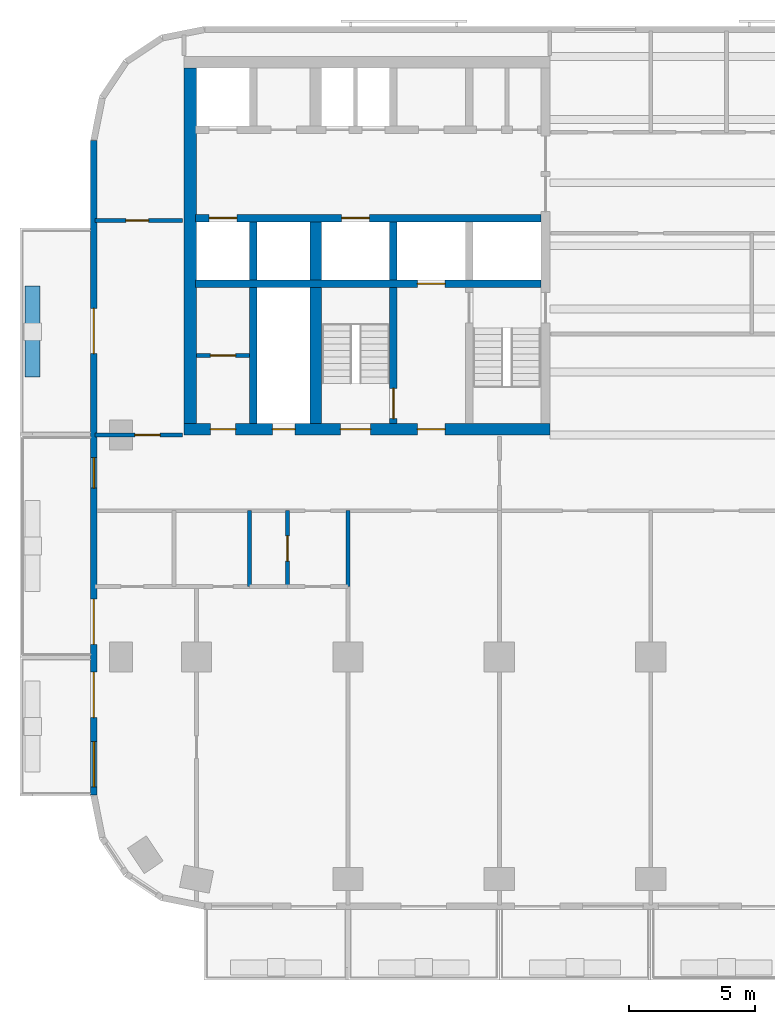
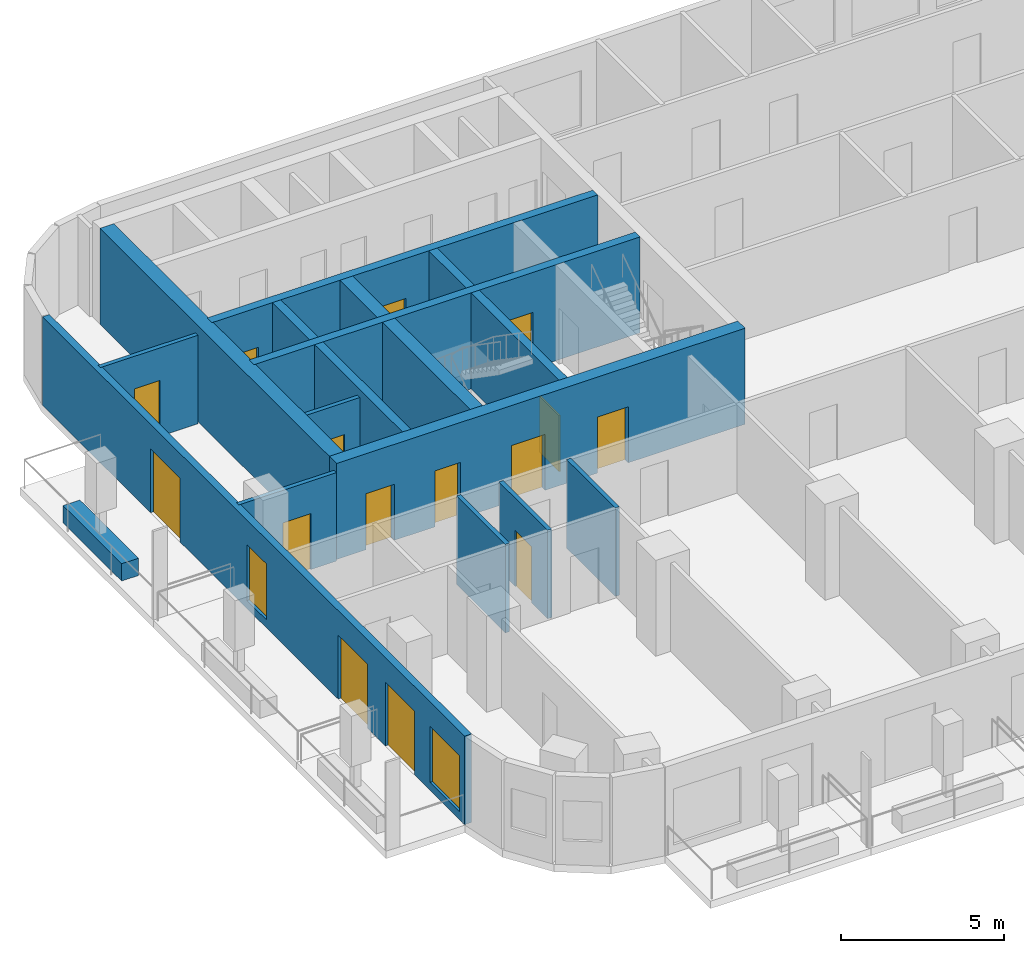
# One storey, part 3 of 12: 18 walls, 15 doors, 2 windows, 17 openings.
"""IFC4 building model written with IfcOpenShell, lengths in metres."""

from ifc_helpers import new_model, si_unit, direction, frame, frame_2d, origin, place, context, subcontext, project, spatial, rectangle, extrude, material, layer, layer_set, type_object, element, fill, save


model = new_model("IFC4")

# Units and contexts
model_context = context("Model", 3, precision=1e-05, world=origin(), true_north=direction((0.0, 1.0)))
body_context = subcontext(model_context, "Body", "Model", "MODEL_VIEW")
ifc_project = project(units=[si_unit("LENGTHUNIT", "METRE"), si_unit("AREAUNIT", "SQUARE_METRE"), si_unit("VOLUMEUNIT", "CUBIC_METRE"), si_unit("PLANEANGLEUNIT", "RADIAN"), si_unit("MASSUNIT", "GRAM", prefix="KILO")], contexts=[model_context])

# Site, building, storey
site_placement = place(None, origin())
site = spatial("IfcSite", under=ifc_project, at=site_placement, CompositionType="ELEMENT")
building_placement = place(site_placement, origin())
building = spatial("IfcBuilding", under=site, at=building_placement, Name="Torana Hotel and Residences", CompositionType="ELEMENT")
storey_placement = place(building_placement, frame((0.0, 0.0, 156.0)))
storey = spatial("IfcBuildingStorey", under=building, at=storey_placement, Name="L40", CompositionType="ELEMENT", Elevation=156.0)

# Wall, openings, doors
ifc_material_1 = material(Name="Concrete C70/85", Category="concrete")
ifc_layer_1 = layer(ifc_material_1, 0.300048828125)
ifc_layer_set_1 = layer_set([ifc_layer_1], Name="CORE WALL 300 C70/85")
wall_type_1 = type_object("IfcWallType", Name="CORE WALL 300 C70/85", PredefinedType="SHEAR", material=ifc_layer_set_1)
wall_1_placement = place(storey_placement, frame((-24.050048828125, -6.39990234375, 0.0), z_axis=(0.0, 0.0, 1.0), x_axis=(1.0, 0.0, 0.0)))
wall_1 = element("IfcWall", 1, at=wall_1_placement, inside=storey, type_object=wall_type_1, Name="Core wall W row-S", PredefinedType="SHEAR", context=body_context, shape_type="SweptSolid", body=[
    extrude(rectangle(XDim=13.699951171875, YDim=0.300048828125, at=frame_2d((6.85009765625, 0.0))), origin(), (0.0, 0.0, 1.0), 3.60009765625),
])
opening_1_placement = place(wall_1_placement, frame((0.550048828125, 0.0, 0.0)))
opening_1 = element("IfcOpeningElement", 2, at=opening_1_placement, cuts=wall_1, Name="Opening LD", PredefinedType="OPENING", context=body_context, shape_type="SweptSolid", body=[
    extrude(rectangle(XDim=1.10009765625, YDim=2.10009765625, at=frame_2d((0.550048828125, 1.050048828125))), frame((0.0, 0.159912109375, 0.0), z_axis=(0.0, -1.0, 0.0), x_axis=(1.0, 0.0, 0.0)), (0.0, 0.0, 1.0), 0.320068359375),
])
opening_2_placement = place(wall_1_placement, frame((5.800048828125, 0.0, 0.0)))
opening_2 = element("IfcOpeningElement", 3, at=opening_2_placement, cuts=wall_1, Name="Opening LD", PredefinedType="OPENING", context=body_context, shape_type="SweptSolid", body=[
    extrude(rectangle(XDim=1.10009765625, YDim=2.10009765625, at=frame_2d((0.550048828125, 1.050048828125))), frame((0.0, 0.159912109375, 0.0), z_axis=(0.0, -1.0, 0.0), x_axis=(1.0, 0.0, 0.0)), (0.0, 0.0, 1.0), 0.320068359375),
])
ifc_material_2 = material(Name="Stainless steel 316", Category="steel")
door_type_1 = type_object("IfcDoorType", Name="LIFT LANDING DOOR LD 1100x2100", OperationType="DOUBLE_DOOR_SLIDING", PredefinedType="USERDEFINED", material=ifc_material_2)
door_1_placement = place(opening_1_placement, origin())
door_1 = element("IfcDoor", 4, at=door_1_placement, inside=storey, type_object=door_type_1, Name="Lift landing door M2 L40", ObjectType="LIFT LANDING DOOR", OperationType="DOUBLE_DOOR_SLIDING", OverallHeight=2.10009765625, OverallWidth=1.10009765625, PredefinedType="USERDEFINED", context=body_context, shape_type="SweptSolid", body=[
    extrude(rectangle(XDim=1.10009765625, YDim=2.10009765625, at=frame_2d((0.550048828125, 1.050048828125))), frame((0.0, 0.02490234375, 0.0), z_axis=(0.0, -1.0, 0.0), x_axis=(1.0, 0.0, 0.0)), (0.0, 0.0, 1.0), 0.050048828125),
])
fill(opening_1, door_1)
door_2_placement = place(opening_2_placement, origin())
door_2 = element("IfcDoor", 5, at=door_2_placement, inside=storey, type_object=door_type_1, Name="Lift landing door SV1 L40", ObjectType="LIFT LANDING DOOR", OperationType="DOUBLE_DOOR_SLIDING", OverallHeight=2.10009765625, OverallWidth=1.10009765625, PredefinedType="USERDEFINED", context=body_context, shape_type="SweptSolid", body=[
    extrude(rectangle(XDim=1.10009765625, YDim=2.10009765625, at=frame_2d((0.550048828125, 1.050048828125))), frame((0.0, 0.02490234375, 0.0), z_axis=(0.0, -1.0, 0.0), x_axis=(1.0, 0.0, 0.0)), (0.0, 0.0, 1.0), 0.050048828125),
])
fill(opening_2, door_2)

# Wall, opening, door
wall_2_placement = place(storey_placement, frame((-24.050048828125, -9.0, 0.0), z_axis=(0.0, 0.0, 1.0), x_axis=(1.0, 0.0, 0.0)))
wall_2 = element("IfcWall", 6, at=wall_2_placement, inside=storey, type_object=wall_type_1, Name="Core wall W band", PredefinedType="SHEAR", context=body_context, shape_type="SweptSolid", body=[
    extrude(rectangle(XDim=13.699951171875, YDim=0.300048828125, at=frame_2d((6.85009765625, 0.0))), origin(), (0.0, 0.0, 1.0), 3.60009765625),
])
opening_3_placement = place(wall_2_placement, frame((8.800048828125, 0.0, 0.0)))
opening_3 = element("IfcOpeningElement", 7, at=opening_3_placement, cuts=wall_2, Name="Opening LD", PredefinedType="OPENING", context=body_context, shape_type="SweptSolid", body=[
    extrude(rectangle(XDim=1.10009765625, YDim=2.10009765625, at=frame_2d((0.550048828125, 1.050048828125))), frame((0.0, 0.159912109375, 0.0), z_axis=(0.0, -1.0, 0.0), x_axis=(1.0, 0.0, 0.0)), (0.0, 0.0, 1.0), 0.320068359375),
])
door_3_placement = place(opening_3_placement, origin())
door_3 = element("IfcDoor", 8, at=door_3_placement, inside=storey, type_object=door_type_1, Name="Lift landing door FF1 L40", ObjectType="LIFT LANDING DOOR", OperationType="DOUBLE_DOOR_SLIDING", OverallHeight=2.10009765625, OverallWidth=1.10009765625, PredefinedType="USERDEFINED", context=body_context, shape_type="SweptSolid", body=[
    extrude(rectangle(XDim=1.10009765625, YDim=2.10009765625, at=frame_2d((0.550048828125, 1.050048828125))), frame((0.0, 0.02490234375, 0.0), z_axis=(0.0, -1.0, 0.0), x_axis=(1.0, 0.0, 0.0)), (0.0, 0.0, 1.0), 0.050048828125),
])
fill(opening_3, door_3)

# Wall
wall_3_placement = place(storey_placement, frame((-16.199951171875, -8.85009765625, 0.0), z_axis=(0.0, 0.0, 1.0), x_axis=(0.0, 1.0, 0.0)))
element("IfcWall", 9, at=wall_3_placement, inside=storey, type_object=wall_type_1, Name="Core wall W x6.05-S", PredefinedType="SHEAR", context=body_context, shape_type="SweptSolid", body=[
    extrude(rectangle(XDim=2.300048828125, YDim=0.300048828125, at=frame_2d((1.14990234375, 0.0))), origin(), (0.0, 0.0, 1.0), 3.60009765625),
])

# Wall, opening, door
wall_4_placement = place(storey_placement, frame((-16.199951171875, -14.550048828125, 0.0), z_axis=(0.0, 0.0, 1.0), x_axis=(0.0, 1.0, 0.0)))
wall_4 = element("IfcWall", 10, at=wall_4_placement, inside=storey, type_object=wall_type_1, Name="Core wall W x6.05-band", PredefinedType="SHEAR", context=body_context, shape_type="SweptSolid", body=[
    extrude(rectangle(XDim=5.400146484375, YDim=0.300048828125, at=frame_2d((2.7001953125, 0.0))), origin(), (0.0, 0.0, 1.0), 3.60009765625),
])
opening_4_placement = place(wall_4_placement, frame((0.199951171875, 0.0, 0.0)))
opening_4 = element("IfcOpeningElement", 11, at=opening_4_placement, cuts=wall_4, Name="Opening L40-15", PredefinedType="OPENING", context=body_context, shape_type="SweptSolid", body=[
    extrude(rectangle(XDim=1.199951171875, YDim=2.10009765625, at=frame_2d((0.60009765625, 1.050048828125))), frame((0.0, 0.159912109375, 0.0), z_axis=(0.0, -1.0, 0.0), x_axis=(1.0, 0.0, 0.0)), (0.0, 0.0, 1.0), 0.320068359375),
])
ifc_material_3 = material(Name="Steel S235", Category="steel")
door_type_2 = type_object("IfcDoorType", Name="STAIR FIRE DOOR D3 1200x2100", OperationType="SINGLE_SWING_LEFT", PredefinedType="DOOR", material=ifc_material_3)
door_4_placement = place(opening_4_placement, origin())
door_4 = element("IfcDoor", 12, at=door_4_placement, inside=storey, type_object=door_type_2, Name="Stair-B-lobby door L40", OperationType="SINGLE_SWING_RIGHT", OverallHeight=2.10009765625, OverallWidth=1.199951171875, PredefinedType="DOOR", context=body_context, shape_type="SweptSolid", body=[
    extrude(rectangle(XDim=1.199951171875, YDim=2.10009765625, at=frame_2d((0.60009765625, 1.050048828125))), frame((0.0, 0.02490234375, 0.0), z_axis=(0.0, -1.0, 0.0), x_axis=(1.0, 0.0, 0.0)), (0.0, 0.0, 1.0), 0.050048828125),
])
fill(opening_4, door_4)

# Walls
wall_5_placement = place(storey_placement, frame((-21.75, -8.85009765625, 0.0), z_axis=(0.0, 0.0, 1.0), x_axis=(0.0, 1.0, 0.0)))
element("IfcWall", 13, at=wall_5_placement, inside=storey, type_object=wall_type_1, Name="Core wall W mm-S", PredefinedType="SHEAR", context=body_context, shape_type="SweptSolid", body=[
    extrude(rectangle(XDim=2.300048828125, YDim=0.300048828125, at=frame_2d((1.14990234375, 0.0))), origin(), (0.0, 0.0, 1.0), 3.60009765625),
])
wall_6_placement = place(storey_placement, frame((-21.75, -14.550048828125, 0.0), z_axis=(0.0, 0.0, 1.0), x_axis=(0.0, 1.0, 0.0)))
element("IfcWall", 14, at=wall_6_placement, inside=storey, type_object=wall_type_1, Name="Core wall W mm-band", PredefinedType="SHEAR", context=body_context, shape_type="SweptSolid", body=[
    extrude(rectangle(XDim=5.400146484375, YDim=0.300048828125, at=frame_2d((2.7001953125, 0.0))), origin(), (0.0, 0.0, 1.0), 3.60009765625),
])

# Wall, openings, doors
ifc_material_4 = material(Name="Concrete C70/85", Category="concrete")
ifc_layer_2 = layer(ifc_material_4, 0.449951171875)
ifc_layer_set_2 = layer_set([ifc_layer_2], Name="CORE WALL 450 C70/85")
wall_type_2 = type_object("IfcWallType", Name="CORE WALL 450 C70/85", PredefinedType="SHEAR", material=ifc_layer_set_2)
wall_7_placement = place(storey_placement, frame((-24.5, -14.77490234375, 0.0), z_axis=(0.0, 0.0, 1.0), x_axis=(1.0, 0.0, 0.0)))
wall_7 = element("IfcWall", 15, at=wall_7_placement, inside=storey, type_object=wall_type_2, Name="Core wall W front", PredefinedType="SHEAR", context=body_context, shape_type="SweptSolid", body=[
    extrude(rectangle(XDim=14.5, YDim=0.449951171875, at=frame_2d((7.25, 0.0))), origin(), (0.0, 0.0, 1.0), 3.60009765625),
])
opening_5_placement = place(wall_7_placement, frame((6.199951171875, 0.0, 0.0)))
opening_5 = element("IfcOpeningElement", 16, at=opening_5_placement, cuts=wall_7, Name="Opening L40-04", PredefinedType="OPENING", context=body_context, shape_type="SweptSolid", body=[
    extrude(rectangle(XDim=1.199951171875, YDim=2.10009765625, at=frame_2d((0.60009765625, 1.050048828125))), frame((0.0, 0.23486328125, 0.0), z_axis=(0.0, -1.0, 0.0), x_axis=(1.0, 0.0, 0.0)), (0.0, 0.0, 1.0), 0.469970703125),
])
opening_6_placement = place(wall_7_placement, frame((9.25, 0.0, 0.0)))
opening_6 = element("IfcOpeningElement", 17, at=opening_6_placement, cuts=wall_7, Name="Opening L40-05", PredefinedType="OPENING", context=body_context, shape_type="SweptSolid", body=[
    extrude(rectangle(XDim=1.10009765625, YDim=2.10009765625, at=frame_2d((0.550048828125, 1.050048828125))), frame((0.0, 0.23486328125, 0.0), z_axis=(0.0, -1.0, 0.0), x_axis=(1.0, 0.0, 0.0)), (0.0, 0.0, 1.0), 0.469970703125),
])
opening_7_placement = place(wall_7_placement, frame((3.5, 0.0, 0.0)))
opening_7 = element("IfcOpeningElement", 18, at=opening_7_placement, cuts=wall_7, Name="Opening L40-06", PredefinedType="OPENING", context=body_context, shape_type="SweptSolid", body=[
    extrude(rectangle(XDim=0.89990234375, YDim=2.10009765625, at=frame_2d((0.449951171875, 1.050048828125))), frame((0.0, 0.23486328125, 0.0), z_axis=(0.0, -1.0, 0.0), x_axis=(1.0, 0.0, 0.0)), (0.0, 0.0, 1.0), 0.469970703125),
])
opening_8_placement = place(wall_7_placement, frame((1.050048828125, 0.0, 0.0)))
opening_8 = element("IfcOpeningElement", 19, at=opening_8_placement, cuts=wall_7, Name="Opening L40-07", PredefinedType="OPENING", context=body_context, shape_type="SweptSolid", body=[
    extrude(rectangle(XDim=1.0, YDim=2.10009765625, at=frame_2d((0.5, 1.050048828125))), frame((0.0, 0.23486328125, 0.0), z_axis=(0.0, -1.0, 0.0), x_axis=(1.0, 0.0, 0.0)), (0.0, 0.0, 1.0), 0.469970703125),
])
ifc_material_5 = material(Name="Steel S235", Category="steel")
door_type_3 = type_object("IfcDoorType", Name="CORE ROOM FIRE DOOR D14 1000x2100", OperationType="SINGLE_SWING_LEFT", PredefinedType="DOOR", material=ifc_material_5)
door_5_placement = place(opening_8_placement, origin())
door_5 = element("IfcDoor", 20, at=door_5_placement, inside=storey, type_object=door_type_3, Name="M-Room-B door L40", OperationType="SINGLE_SWING_RIGHT", OverallHeight=2.10009765625, OverallWidth=1.0, PredefinedType="DOOR", context=body_context, shape_type="SweptSolid", body=[
    extrude(rectangle(XDim=1.0, YDim=2.10009765625, at=frame_2d((0.5, 1.050048828125))), frame((0.0, 0.02490234375, 0.0), z_axis=(0.0, -1.0, 0.0), x_axis=(1.0, 0.0, 0.0)), (0.0, 0.0, 1.0), 0.050048828125),
])
fill(opening_8, door_5)
ifc_material_6 = material(Name="Steel S235", Category="steel")
door_type_4 = type_object("IfcDoorType", Name="FIRE-FIGHTING LOBBY DOOR D8 1100x2100", OperationType="SINGLE_SWING_LEFT", PredefinedType="DOOR", material=ifc_material_6)
door_6_placement = place(opening_6_placement, origin())
door_6 = element("IfcDoor", 21, at=door_6_placement, inside=storey, type_object=door_type_4, Name="FF-lobby door L40", OperationType="SINGLE_SWING_RIGHT", OverallHeight=2.10009765625, OverallWidth=1.10009765625, PredefinedType="DOOR", context=body_context, shape_type="SweptSolid", body=[
    extrude(rectangle(XDim=1.10009765625, YDim=2.10009765625, at=frame_2d((0.550048828125, 1.050048828125))), frame((0.0, 0.02490234375, 0.0), z_axis=(0.0, -1.0, 0.0), x_axis=(1.0, 0.0, 0.0)), (0.0, 0.0, 1.0), 0.050048828125),
])
fill(opening_6, door_6)
ifc_material_7 = material(Name="Steel S235", Category="steel")
door_type_5 = type_object("IfcDoorType", Name="RISER ACCESS DOOR D5 900x2100", OperationType="SINGLE_SWING_LEFT", PredefinedType="DOOR", material=ifc_material_7)
door_7_placement = place(opening_7_placement, origin())
door_7 = element("IfcDoor", 22, at=door_7_placement, inside=storey, type_object=door_type_5, Name="M-Riser door L40", OperationType="SINGLE_SWING_RIGHT", OverallHeight=2.10009765625, OverallWidth=0.89990234375, PredefinedType="DOOR", context=body_context, shape_type="SweptSolid", body=[
    extrude(rectangle(XDim=0.89990234375, YDim=2.10009765625, at=frame_2d((0.449951171875, 1.050048828125))), frame((0.0, 0.02490234375, 0.0), z_axis=(0.0, -1.0, 0.0), x_axis=(1.0, 0.0, 0.0)), (0.0, 0.0, 1.0), 0.050048828125),
])
fill(opening_7, door_7)
door_8_placement = place(opening_5_placement, origin())
door_8 = element("IfcDoor", 23, at=door_8_placement, inside=storey, type_object=door_type_2, Name="Stair-B door L40", OperationType="SINGLE_SWING_RIGHT", OverallHeight=2.10009765625, OverallWidth=1.199951171875, PredefinedType="DOOR", context=body_context, shape_type="SweptSolid", body=[
    extrude(rectangle(XDim=1.199951171875, YDim=2.10009765625, at=frame_2d((0.60009765625, 1.050048828125))), frame((0.0, 0.02490234375, 0.0), z_axis=(0.0, -1.0, 0.0), x_axis=(1.0, 0.0, 0.0)), (0.0, 0.0, 1.0), 0.050048828125),
])
fill(opening_5, door_8)

# Walls
wall_8_placement = place(storey_placement, frame((-19.27490234375, -8.85009765625, 0.0), z_axis=(0.0, 0.0, 1.0), x_axis=(0.0, 1.0, 0.0)))
element("IfcWall", 24, at=wall_8_placement, inside=storey, type_object=wall_type_2, Name="Core wall W hm-S", PredefinedType="SHEAR", context=body_context, shape_type="SweptSolid", body=[
    extrude(rectangle(XDim=2.300048828125, YDim=0.449951171875, at=frame_2d((1.14990234375, 0.0))), origin(), (0.0, 0.0, 1.0), 3.60009765625),
])
wall_9_placement = place(storey_placement, frame((-19.27490234375, -14.550048828125, 0.0), z_axis=(0.0, 0.0, 1.0), x_axis=(0.0, 1.0, 0.0)))
element("IfcWall", 25, at=wall_9_placement, inside=storey, type_object=wall_type_2, Name="Core wall W hm-band", PredefinedType="SHEAR", context=body_context, shape_type="SweptSolid", body=[
    extrude(rectangle(XDim=5.400146484375, YDim=0.449951171875, at=frame_2d((2.7001953125, 0.0))), origin(), (0.0, 0.0, 1.0), 3.60009765625),
])
ifc_material_8 = material(Name="Concrete C70/85", Category="concrete")
ifc_layer_3 = layer(ifc_material_8, 0.5)
ifc_layer_set_3 = layer_set([ifc_layer_3], Name="CORE WALL 500 C70/85")
wall_type_3 = type_object("IfcWallType", Name="CORE WALL 500 C70/85", PredefinedType="SHEAR", material=ifc_layer_set_3)
wall_10_placement = place(storey_placement, frame((-24.25, -14.550048828125, 0.0), z_axis=(0.0, 0.0, 1.0), x_axis=(0.0, 1.0, 0.0)))
element("IfcWall", 26, at=wall_10_placement, inside=storey, type_object=wall_type_3, Name="Core wall W outer", PredefinedType="SHEAR", context=body_context, shape_type="SweptSolid", body=[
    extrude(rectangle(XDim=14.10009765625, YDim=0.5, at=frame_2d((7.050048828125, 0.0))), origin(), (0.0, 0.0, 1.0), 3.60009765625),
])

# Wall, openings, doors, windows
ifc_material_9 = material(Name="Black aluminium composite panel", Category="aluminium")
ifc_layer_4 = layer(ifc_material_9, 0.00390625, Name="Cladding", Category="cladding")
ifc_material_10 = material(Name="Ventilated air cavity")
ifc_layer_5 = layer(ifc_material_10, 0.0400390625, Name="Ventilated cavity", Category="cavity")
ifc_material_11 = material(Name="Mineral wool insulation")
ifc_layer_6 = layer(ifc_material_11, 0.090087890625, Name="Insulation", Category="insulation")
ifc_material_12 = material(Name="Steel S280GD", Category="steel")
ifc_layer_7 = layer(ifc_material_12, 0.092041015625, Name="Steel stud frame", Category="structure")
ifc_material_13 = material(Name="Fire rated plasterboard")
ifc_layer_8 = layer(ifc_material_13, 0.011962890625, Name="Inner board", Category="finish")
ifc_layer_9 = layer(ifc_material_13, 0.011962890625, Name="Second board", Category="finish")
ifc_layer_set_4 = layer_set([ifc_layer_4, ifc_layer_5, ifc_layer_6, ifc_layer_7, ifc_layer_8, ifc_layer_9], Name="EW1 EXTERNAL WALL BLACK METAL CLAD 250")
wall_type_4 = type_object("IfcWallType", Name="EW1 EXTERNAL WALL BLACK METAL CLAD 250", PredefinedType="SOLIDWALL", material=ifc_layer_set_4)
wall_11_placement = place(storey_placement, frame((-28.074951171875, -3.32470703125, 0.0), z_axis=(0.0, 0.0, 1.0), x_axis=(0.0, -1.0, 0.0)))
wall_11 = element("IfcWall", 27, at=wall_11_placement, inside=storey, type_object=wall_type_4, Name="External wall L40 e0.9", PredefinedType="SOLIDWALL", context=body_context, shape_type="SweptSolid", body=[
    extrude(rectangle(XDim=25.95068359375, YDim=0.25, at=frame_2d((12.975341796875, 0.0))), origin(), (0.0, 0.0, 1.0), 3.320068359375),
])
opening_9_placement = place(wall_11_placement, frame((6.650390625, 0.0, 0.0)))
opening_9 = element("IfcOpeningElement", 28, at=opening_9_placement, cuts=wall_11, Name="Opening L40-E12", PredefinedType="OPENING", context=body_context, shape_type="SweptSolid", body=[
    extrude(rectangle(XDim=1.800048828125, YDim=2.39990234375, at=frame_2d((0.89990234375, 1.199951171875))), frame((0.0, 0.135009765625, 0.0), z_axis=(0.0, -1.0, 0.0), x_axis=(1.0, 0.0, 0.0)), (0.0, 0.0, 1.0), 0.27001953125),
])
opening_10_placement = place(wall_11_placement, frame((12.575439453125, 0.0, 0.300048828125)))
opening_10 = element("IfcOpeningElement", 29, at=opening_10_placement, cuts=wall_11, Name="Opening W7", PredefinedType="OPENING", context=body_context, shape_type="SweptSolid", body=[
    extrude(rectangle(XDim=1.199951171875, YDim=2.10009765625, at=frame_2d((0.60009765625, 1.050048828125))), frame((0.0, 0.135009765625, 0.0), z_axis=(0.0, -1.0, 0.0), x_axis=(1.0, 0.0, 0.0)), (0.0, 0.0, 1.0), 0.27001953125),
])
opening_11_placement = place(wall_11_placement, frame((18.17529296875, 0.0, 0.0)))
opening_11 = element("IfcOpeningElement", 30, at=opening_11_placement, cuts=wall_11, Name="Opening L40-E13", PredefinedType="OPENING", context=body_context, shape_type="SweptSolid", body=[
    extrude(rectangle(XDim=1.800048828125, YDim=2.39990234375, at=frame_2d((0.89990234375, 1.199951171875))), frame((0.0, 0.135009765625, 0.0), z_axis=(0.0, -1.0, 0.0), x_axis=(1.0, 0.0, 0.0)), (0.0, 0.0, 1.0), 0.27001953125),
])
opening_12_placement = place(wall_11_placement, frame((21.075439453125, 0.0, 0.0)))
opening_12 = element("IfcOpeningElement", 31, at=opening_12_placement, cuts=wall_11, Name="Opening L40-E14", PredefinedType="OPENING", context=body_context, shape_type="SweptSolid", body=[
    extrude(rectangle(XDim=1.800048828125, YDim=2.39990234375, at=frame_2d((0.89990234375, 1.199951171875))), frame((0.0, 0.135009765625, 0.0), z_axis=(0.0, -1.0, 0.0), x_axis=(1.0, 0.0, 0.0)), (0.0, 0.0, 1.0), 0.27001953125),
])
opening_13_placement = place(wall_11_placement, frame((23.825439453125, 0.0, 0.300048828125)))
opening_13 = element("IfcOpeningElement", 32, at=opening_13_placement, cuts=wall_11, Name="Opening W2", PredefinedType="OPENING", context=body_context, shape_type="SweptSolid", body=[
    extrude(rectangle(XDim=1.800048828125, YDim=2.10009765625, at=frame_2d((0.89990234375, 1.050048828125))), frame((0.0, 0.135009765625, 0.0), z_axis=(0.0, -1.0, 0.0), x_axis=(1.0, 0.0, 0.0)), (0.0, 0.0, 1.0), 0.27001953125),
])
ifc_material_14 = material(Name="Dark glass in black aluminium frame", Category="aluminium")
door_type_6 = type_object("IfcDoorType", Name="DB1 BALCONY DOOR 1800x2400", OperationType="DOUBLE_DOOR_SINGLE_SWING", PredefinedType="DOOR", material=ifc_material_14)
door_9_placement = place(opening_9_placement, origin())
door_9 = element("IfcDoor", 33, at=door_9_placement, inside=storey, type_object=door_type_6, Name="Balcony door L40", OperationType="DOUBLE_DOOR_SINGLE_SWING", OverallHeight=2.39990234375, OverallWidth=1.800048828125, PredefinedType="DOOR", context=body_context, shape_type="SweptSolid", body=[
    extrude(rectangle(XDim=1.800048828125, YDim=2.39990234375, at=frame_2d((0.89990234375, 1.199951171875))), frame((0.0, 0.02490234375, 0.0), z_axis=(0.0, -1.0, 0.0), x_axis=(1.0, 0.0, 0.0)), (0.0, 0.0, 1.0), 0.050048828125),
])
fill(opening_9, door_9)
door_10_placement = place(opening_11_placement, frame((0.89990234375, 0.0, 0.0), z_axis=(0.0, 0.0, 1.0), x_axis=(-1.0, 0.0, 0.0)))
door_10 = element("IfcDoor", 34, at=door_10_placement, inside=storey, type_object=door_type_6, Name="Balcony door L40", OperationType="DOUBLE_DOOR_SINGLE_SWING", OverallHeight=2.39990234375, OverallWidth=1.800048828125, PredefinedType="DOOR", context=body_context, shape_type="SweptSolid", body=[
    extrude(rectangle(XDim=1.800048828125, YDim=2.39990234375, at=frame_2d((0.0, 1.199951171875))), frame((0.0, -0.02490234375, 0.0), z_axis=(0.0, 1.0, 0.0), x_axis=(-1.0, 0.0, 0.0)), (0.0, 0.0, 1.0), 0.050048828125),
])
fill(opening_11, door_10)
door_11_placement = place(opening_12_placement, origin())
door_11 = element("IfcDoor", 35, at=door_11_placement, inside=storey, type_object=door_type_6, Name="Balcony door L40", OperationType="DOUBLE_DOOR_SINGLE_SWING", OverallHeight=2.39990234375, OverallWidth=1.800048828125, PredefinedType="DOOR", context=body_context, shape_type="SweptSolid", body=[
    extrude(rectangle(XDim=1.800048828125, YDim=2.39990234375, at=frame_2d((0.89990234375, 1.199951171875))), frame((0.0, 0.02490234375, 0.0), z_axis=(0.0, -1.0, 0.0), x_axis=(1.0, 0.0, 0.0)), (0.0, 0.0, 1.0), 0.050048828125),
])
fill(opening_12, door_11)
ifc_material_15 = material(Name="Dark glass in black aluminium frame", Category="aluminium")
window_type_1 = type_object("IfcWindowType", Name="W2 HOTEL ROOM WINDOW NARROW 1800x2100", PartitioningType="SINGLE_PANEL", PredefinedType="WINDOW", material=ifc_material_15)
window_1_placement = place(opening_13_placement, origin())
window_1 = element("IfcWindow", 36, at=window_1_placement, inside=storey, type_object=window_type_1, Name="Window L40", OverallHeight=2.10009765625, OverallWidth=1.800048828125, PartitioningType="SINGLE_PANEL", PredefinedType="WINDOW", context=body_context, shape_type="SweptSolid", body=[
    extrude(rectangle(XDim=1.800048828125, YDim=2.10009765625, at=frame_2d((0.89990234375, 1.050048828125))), frame((0.0, 0.030029296875, 0.0), z_axis=(0.0, -1.0, 0.0), x_axis=(1.0, 0.0, 0.0)), (0.0, 0.0, 1.0), 0.06005859375),
])
fill(opening_13, window_1)
ifc_material_16 = material(Name="Dark glass in black aluminium frame", Category="aluminium")
window_type_2 = type_object("IfcWindowType", Name="W7 HOTEL CORRIDOR WINDOW 1200x2100", PartitioningType="SINGLE_PANEL", PredefinedType="WINDOW", material=ifc_material_16)
window_2_placement = place(opening_10_placement, origin())
window_2 = element("IfcWindow", 37, at=window_2_placement, inside=storey, type_object=window_type_2, Name="Window L40", OverallHeight=2.10009765625, OverallWidth=1.199951171875, PartitioningType="SINGLE_PANEL", PredefinedType="WINDOW", context=body_context, shape_type="SweptSolid", body=[
    extrude(rectangle(XDim=1.199951171875, YDim=2.10009765625, at=frame_2d((0.60009765625, 1.050048828125))), frame((0.0, 0.030029296875, 0.0), z_axis=(0.0, -1.0, 0.0), x_axis=(1.0, 0.0, 0.0)), (0.0, 0.0, 1.0), 0.06005859375),
])
fill(opening_10, window_2)

# Wall, opening, door
ifc_material_17 = material(Name="Gypsum plaster")
ifc_layer_10 = layer(ifc_material_17, 0.014892578125, Name="Plaster", Category="finish")
ifc_material_18 = material(Name="Concrete blockwork", Category="masonry")
ifc_layer_11 = layer(ifc_material_18, 0.1201171875, Name="Blockwork", Category="structure")
ifc_layer_12 = layer(ifc_material_17, 0.014892578125, Name="Plaster", Category="finish")
ifc_layer_set_5 = layer_set([ifc_layer_10, ifc_layer_11, ifc_layer_12], Name="FIRE PARTITION 150 BLOCKWORK")
wall_type_5 = type_object("IfcWallType", Name="FIRE PARTITION 150 BLOCKWORK", PredefinedType="PARTITIONING", material=ifc_layer_set_5)
wall_12_placement = place(storey_placement, frame((-24.0, -11.85009765625, 0.0), z_axis=(0.0, 0.0, 1.0), x_axis=(1.0, 0.0, 0.0)))
wall_12 = element("IfcWall", 38, at=wall_12_placement, inside=storey, type_object=wall_type_5, Name="Core partition L40", PredefinedType="PARTITIONING", context=body_context, shape_type="SweptSolid", body=[
    extrude(rectangle(XDim=2.10009765625, YDim=0.14990234375, at=frame_2d((1.050048828125, 0.0))), origin(), (0.0, 0.0, 1.0), 3.300048828125),
])
opening_14_placement = place(wall_12_placement, frame((0.550048828125, 0.0, 0.0)))
opening_14 = element("IfcOpeningElement", 39, at=opening_14_placement, cuts=wall_12, Name="Opening L40-31", PredefinedType="OPENING", context=body_context, shape_type="SweptSolid", body=[
    extrude(rectangle(XDim=1.0, YDim=2.10009765625, at=frame_2d((0.5, 1.050048828125))), frame((0.0, 0.0849609375, 0.0), z_axis=(0.0, -1.0, 0.0), x_axis=(1.0, 0.0, 0.0)), (0.0, 0.0, 1.0), 0.169921875),
])
door_12_placement = place(opening_14_placement, origin())
door_12 = element("IfcDoor", 40, at=door_12_placement, inside=storey, type_object=door_type_3, Name="Plant room door L40", OperationType="SINGLE_SWING_RIGHT", OverallHeight=2.10009765625, OverallWidth=1.0, PredefinedType="DOOR", context=body_context, shape_type="SweptSolid", body=[
    extrude(rectangle(XDim=1.0, YDim=2.10009765625, at=frame_2d((0.5, 1.050048828125))), frame((0.0, 0.02490234375, 0.0), z_axis=(0.0, -1.0, 0.0), x_axis=(1.0, 0.0, 0.0)), (0.0, 0.0, 1.0), 0.050048828125),
])
fill(opening_14, door_12)

# Wall
wall_13_placement = place(storey_placement, frame((-18.0, -21.0, 0.0), z_axis=(0.0, 0.0, 1.0), x_axis=(0.0, 1.0, 0.0)))
element("IfcWall", 41, at=wall_13_placement, inside=storey, type_object=wall_type_5, Name="Partition L40", PredefinedType="PARTITIONING", context=body_context, shape_type="SweptSolid", body=[
    extrude(rectangle(XDim=3.0, YDim=0.14990234375, at=frame_2d((1.5, 0.0))), origin(), (0.0, 0.0, 1.0), 3.320068359375),
])

# Wall, opening, door
wall_14_placement = place(storey_placement, frame((-20.39990234375, -21.0, 0.0), z_axis=(0.0, 0.0, 1.0), x_axis=(0.0, 1.0, 0.0)))
wall_14 = element("IfcWall", 42, at=wall_14_placement, inside=storey, type_object=wall_type_5, Name="Partition L40", PredefinedType="PARTITIONING", context=body_context, shape_type="SweptSolid", body=[
    extrude(rectangle(XDim=3.0, YDim=0.14990234375, at=frame_2d((1.5, 0.0))), origin(), (0.0, 0.0, 1.0), 3.320068359375),
])
opening_15_placement = place(wall_14_placement, frame((1.0, 0.0, 0.0)))
opening_15 = element("IfcOpeningElement", 43, at=opening_15_placement, cuts=wall_14, Name="Opening L40-56", PredefinedType="OPENING", context=body_context, shape_type="SweptSolid", body=[
    extrude(rectangle(XDim=1.0, YDim=2.10009765625, at=frame_2d((0.5, 1.050048828125))), frame((0.0, 0.0849609375, 0.0), z_axis=(0.0, -1.0, 0.0), x_axis=(1.0, 0.0, 0.0)), (0.0, 0.0, 1.0), 0.169921875),
])
ifc_material_19 = material(Name="Steel S235", Category="steel")
door_type_7 = type_object("IfcDoorType", Name="ENTRY FIRE DOOR D6 1000x2100", OperationType="SINGLE_SWING_LEFT", PredefinedType="DOOR", material=ifc_material_19)
door_13_placement = place(opening_15_placement, origin())
door_13 = element("IfcDoor", 44, at=door_13_placement, inside=storey, type_object=door_type_7, Name="Door L40", OperationType="SINGLE_SWING_RIGHT", OverallHeight=2.10009765625, OverallWidth=1.0, PredefinedType="DOOR", context=body_context, shape_type="SweptSolid", body=[
    extrude(rectangle(XDim=1.0, YDim=2.10009765625, at=frame_2d((0.5, 1.050048828125))), frame((0.0, 0.02490234375, 0.0), z_axis=(0.0, -1.0, 0.0), x_axis=(1.0, 0.0, 0.0)), (0.0, 0.0, 1.0), 0.050048828125),
])
fill(opening_15, door_13)

wall_15_placement = place(storey_placement, frame((-28.02001953125, -15.0, 0.0), z_axis=(0.0, 0.0, 1.0), x_axis=(1.0, 0.0, 0.0)))
wall_15 = element("IfcWall", 45, at=wall_15_placement, inside=storey, type_object=wall_type_5, Name="Partition L40", PredefinedType="PARTITIONING", context=body_context, shape_type="SweptSolid", body=[
    extrude(rectangle(XDim=3.469970703125, YDim=0.14990234375, at=frame_2d((1.73486328125, 0.0))), origin(), (0.0, 0.0, 1.0), 3.320068359375),
])
opening_16_placement = place(wall_15_placement, frame((1.570068359375, 0.0, 0.0)))
opening_16 = element("IfcOpeningElement", 46, at=opening_16_placement, cuts=wall_15, Name="Opening L40-36", PredefinedType="OPENING", context=body_context, shape_type="SweptSolid", body=[
    extrude(rectangle(XDim=1.0, YDim=2.10009765625, at=frame_2d((0.5, 1.050048828125))), frame((0.0, 0.0849609375, 0.0), z_axis=(0.0, -1.0, 0.0), x_axis=(1.0, 0.0, 0.0)), (0.0, 0.0, 1.0), 0.169921875),
])
door_14_placement = place(opening_16_placement, origin())
door_14 = element("IfcDoor", 47, at=door_14_placement, inside=storey, type_object=door_type_3, Name="Door L40", OperationType="SINGLE_SWING_RIGHT", OverallHeight=2.10009765625, OverallWidth=1.0, PredefinedType="DOOR", context=body_context, shape_type="SweptSolid", body=[
    extrude(rectangle(XDim=1.0, YDim=2.10009765625, at=frame_2d((0.5, 1.050048828125))), frame((0.0, 0.02490234375, 0.0), z_axis=(0.0, -1.0, 0.0), x_axis=(1.0, 0.0, 0.0)), (0.0, 0.0, 1.0), 0.050048828125),
])
fill(opening_16, door_14)

ifc_material_20 = material(Name="Gypsum plasterboard")
ifc_layer_13 = layer(ifc_material_20, 0.012451171875, Name="Plasterboard", Category="finish")
ifc_layer_14 = layer(ifc_material_20, 0.012451171875, Name="Plasterboard", Category="finish")
ifc_layer_15 = layer(ifc_material_12, 0.10009765625, Name="Steel studs with mineral wool", Category="insulation")
ifc_layer_16 = layer(ifc_material_20, 0.012451171875, Name="Plasterboard", Category="finish")
ifc_layer_17 = layer(ifc_material_20, 0.012451171875, Name="Plasterboard", Category="finish")
ifc_layer_set_6 = layer_set([ifc_layer_13, ifc_layer_14, ifc_layer_15, ifc_layer_16, ifc_layer_17], Name="PARTITION 150 PLASTERBOARD")
wall_type_6 = type_object("IfcWallType", Name="PARTITION 150 PLASTERBOARD", PredefinedType="PARTITIONING", material=ifc_layer_set_6)
wall_16_placement = place(storey_placement, frame((-28.02001953125, -6.5, 0.0), z_axis=(0.0, 0.0, 1.0), x_axis=(1.0, 0.0, 0.0)))
wall_16 = element("IfcWall", 48, at=wall_16_placement, inside=storey, type_object=wall_type_6, Name="Partition L40", PredefinedType="PARTITIONING", context=body_context, shape_type="SweptSolid", body=[
    extrude(rectangle(XDim=3.469970703125, YDim=0.14990234375, at=frame_2d((1.73486328125, 0.0))), origin(), (0.0, 0.0, 1.0), 3.320068359375),
])
opening_17_placement = place(wall_16_placement, frame((1.219970703125, 0.0, 0.0)))
opening_17 = element("IfcOpeningElement", 49, at=opening_17_placement, cuts=wall_16, Name="Opening L40-66", PredefinedType="OPENING", context=body_context, shape_type="SweptSolid", body=[
    extrude(rectangle(XDim=0.89990234375, YDim=2.10009765625, at=frame_2d((0.449951171875, 1.050048828125))), frame((0.0, 0.0849609375, 0.0), z_axis=(0.0, -1.0, 0.0), x_axis=(1.0, 0.0, 0.0)), (0.0, 0.0, 1.0), 0.169921875),
])
ifc_material_21 = material(Name="Timber door, oiled ash", Category="wood")
door_type_8 = type_object("IfcDoorType", Name="ROOM DOOR D7 900x2100", OperationType="SINGLE_SWING_LEFT", PredefinedType="DOOR", material=ifc_material_21)
door_15_placement = place(opening_17_placement, origin())
door_15 = element("IfcDoor", 50, at=door_15_placement, inside=storey, type_object=door_type_8, Name="Door L40", OperationType="SINGLE_SWING_RIGHT", OverallHeight=2.10009765625, OverallWidth=0.89990234375, PredefinedType="DOOR", context=body_context, shape_type="SweptSolid", body=[
    extrude(rectangle(XDim=0.89990234375, YDim=2.10009765625, at=frame_2d((0.449951171875, 1.050048828125))), frame((0.0, 0.02490234375, 0.0), z_axis=(0.0, -1.0, 0.0), x_axis=(1.0, 0.0, 0.0)), (0.0, 0.0, 1.0), 0.050048828125),
])
fill(opening_17, door_15)

# Walls
ifc_material_22 = material(Name="Concrete C40/50 precast", Category="concrete")
ifc_layer_18 = layer(ifc_material_22, 0.10009765625, Name="Planter shell", Category="structure")
ifc_material_23 = material(Name="Root resistant membrane")
ifc_layer_19 = layer(ifc_material_23, 0.00390625, Name="Waterproofing membrane", Category="membrane")
ifc_material_24 = material(Name="Drainage board with filter fleece")
ifc_layer_20 = layer(ifc_material_24, 0.02001953125, Name="Drainage board", Category="drainage")
ifc_material_25 = material(Name="Growing medium")
ifc_layer_21 = layer(ifc_material_25, 0.47607421875, Name="Planting substrate", Category="soil")
ifc_layer_set_7 = layer_set([ifc_layer_18, ifc_layer_19, ifc_layer_20, ifc_layer_21], Name="PL1 BALCONY PLANTER 600")
wall_type_7 = type_object("IfcWallType", Name="PL1 BALCONY PLANTER 600", PredefinedType="USERDEFINED", material=ifc_layer_set_7)
wall_17_placement = place(storey_placement, frame((-30.5, -12.699951171875, 0.0), z_axis=(0.0, 0.0, 1.0), x_axis=(0.0, 1.0, 0.0)))
element("IfcWall", 51, at=wall_17_placement, inside=storey, type_object=wall_type_7, Name="Planter 11", ObjectType="PLANTER", PredefinedType="USERDEFINED", context=body_context, shape_type="SweptSolid", body=[
    extrude(rectangle(XDim=3.599853515625, YDim=0.60009765625, at=frame_2d((1.7998046875, 0.0))), origin(), (0.0, 0.0, 1.0), 0.64990234375),
])
ifc_material_26 = material(Name="Ceramic tile on adhesive")
ifc_layer_22 = layer(ifc_material_26, 0.010009765625, Name="Wall tile", Category="finish")
ifc_material_27 = material(Name="Cement render")
ifc_layer_23 = layer(ifc_material_27, 0.010009765625, Name="Render", Category="finish")
ifc_layer_24 = layer(ifc_material_18, 0.110107421875, Name="Blockwork", Category="structure")
ifc_layer_25 = layer(ifc_material_27, 0.010009765625, Name="Render", Category="finish")
ifc_layer_26 = layer(ifc_material_26, 0.010009765625, Name="Wall tile", Category="finish")
ifc_layer_set_8 = layer_set([ifc_layer_22, ifc_layer_23, ifc_layer_24, ifc_layer_25, ifc_layer_26], Name="WC PARTITION 150")
wall_type_8 = type_object("IfcWallType", Name="WC PARTITION 150", PredefinedType="PLUMBINGWALL", material=ifc_layer_set_8)
wall_18_placement = place(storey_placement, frame((-21.89990234375, -21.0, 0.0), z_axis=(0.0, 0.0, 1.0), x_axis=(0.0, 1.0, 0.0)))
element("IfcWall", 52, at=wall_18_placement, inside=storey, type_object=wall_type_8, Name="Partition L40", PredefinedType="PLUMBINGWALL", context=body_context, shape_type="SweptSolid", body=[
    extrude(rectangle(XDim=3.0, YDim=0.14990234375, at=frame_2d((1.5, 0.0))), origin(), (0.0, 0.0, 1.0), 3.320068359375),
])

save(model, "model.ifc")
